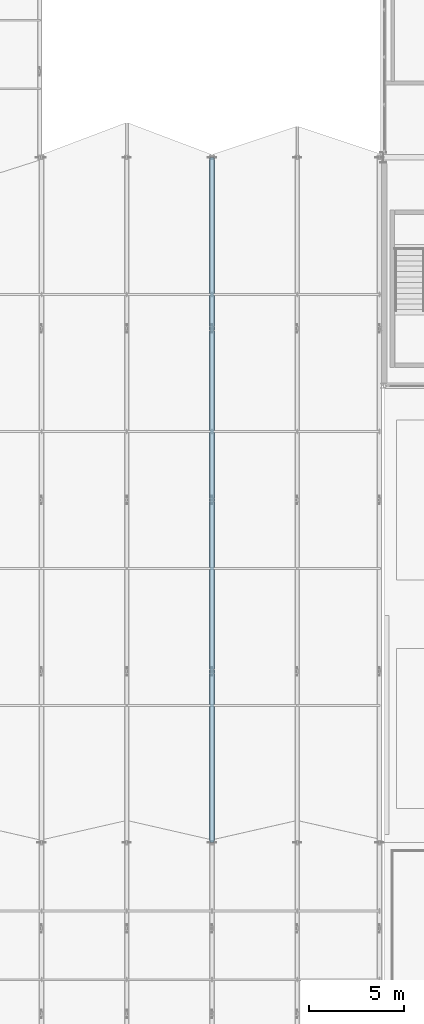
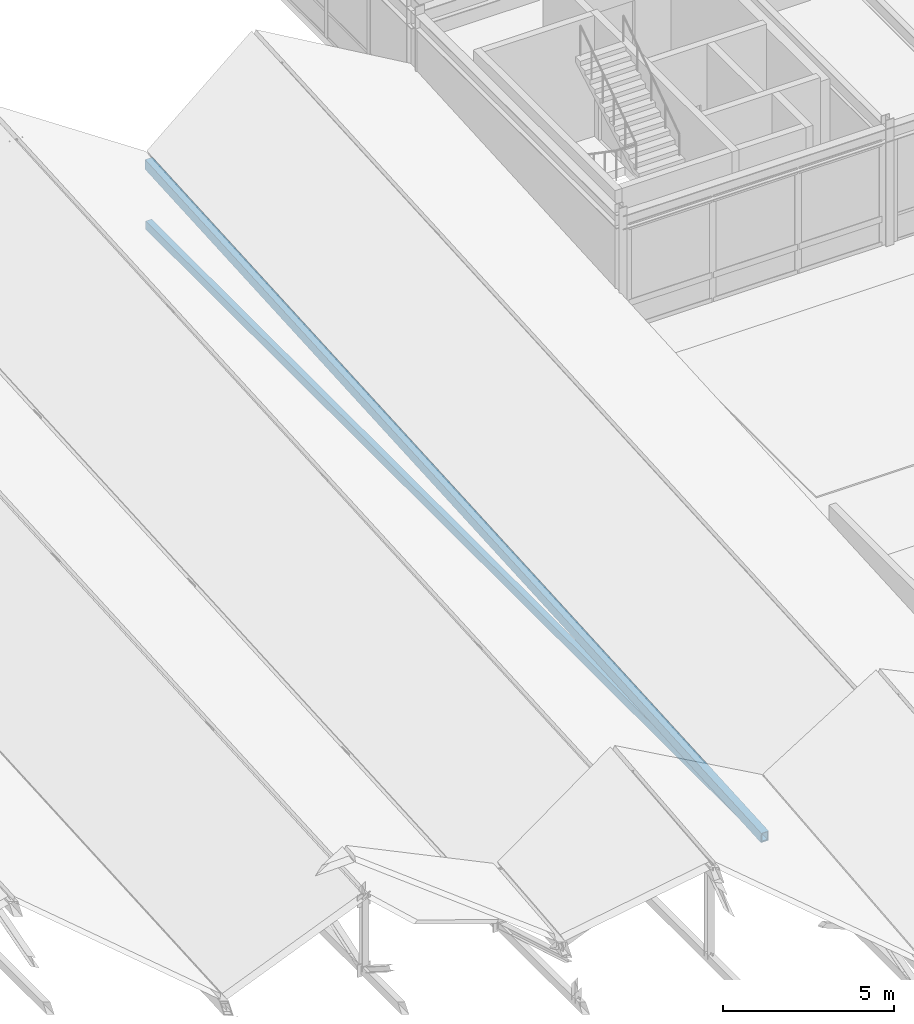
# One storey, part 54 of 142: 2 members.
"""IFC4 building model written with IfcOpenShell, lengths in metres."""

from ifc_helpers import new_model, si_unit, direction, frame, origin, origin_2d, place, context, subcontext, project, spatial, hollow_rectangle, extrude, material, material_profile, profile_set, type_object, element, save


model = new_model("IFC4")

# Units and contexts
model_context = context("Model", 3, precision=1e-05, world=origin(), true_north=direction((0.0, 1.0)))
body_context = subcontext(model_context, "Body", "Model", "MODEL_VIEW")
ifc_project = project(units=[si_unit("LENGTHUNIT", "METRE"), si_unit("AREAUNIT", "SQUARE_METRE"), si_unit("VOLUMEUNIT", "CUBIC_METRE"), si_unit("PLANEANGLEUNIT", "RADIAN"), si_unit("MASSUNIT", "GRAM", prefix="KILO")], contexts=[model_context])

# Site, building, storey
site_placement = place(None, origin())
site = spatial("IfcSite", under=ifc_project, at=site_placement, CompositionType="ELEMENT")
building_placement = place(site_placement, origin())
building = spatial("IfcBuilding", under=site, at=building_placement, Name="Montelvaro Courts of Justice", CompositionType="ELEMENT")
storey_placement = place(building_placement, frame((0.0, 0.0, 14.39990234375)))
storey = spatial("IfcBuildingStorey", under=building, at=storey_placement, Name="L03", CompositionType="ELEMENT", Elevation=14.39990234375)

# Members
ifc_material = material(Name="Steel S355", Category="steel")
ifc_material_profile_1 = material_profile(ifc_material, hollow_rectangle(XDim=0.199951171875, YDim=0.300048828125, WallThickness=0.012451171875, at=origin_2d()), Name="RHS 300x200x12.5")
ifc_profile_set_1 = profile_set([ifc_material_profile_1], Name="Steel S355")
member_type_1 = type_object("IfcMemberType", Name="Mem_RHS300_Chord", PredefinedType="CHORD", material=ifc_profile_set_1)
member_1_placement = place(storey_placement, frame((90.0, 42.0, -0.2998046875), z_axis=(0.0, 1.0, 0.0), x_axis=(-1.0, 0.0, 0.0)))
element("IfcMember", 1, at=member_1_placement, inside=storey, type_object=member_type_1, Name="Roof Truss ROOF-PASSAGE-VTR05 Bottom Chord", PredefinedType="CHORD", context=body_context, shape_type="SweptSolid", body=[
    extrude(hollow_rectangle(XDim=0.199951171875, YDim=0.300048828125, WallThickness=0.012451171875, at=origin_2d()), origin(), (0.0, 0.0, 1.0), 36.0),
])
ifc_material_profile_2 = material_profile(ifc_material, hollow_rectangle(XDim=0.25, YDim=0.35009765625, WallThickness=0.012451171875, at=origin_2d()), Name="RHS 350x250x12.5")
ifc_profile_set_2 = profile_set([ifc_material_profile_2], Name="Steel S355")
member_type_2 = type_object("IfcMemberType", Name="Mem_RHS350_Chord", PredefinedType="CHORD", material=ifc_profile_set_2)
member_2_placement = place(storey_placement, frame((90.0, 42.0, -0.31982421875), z_axis=(0.0, 0.998138012374, 0.060995969167), x_axis=(-1.0, 0.0, 0.0)))
element("IfcMember", 2, at=member_2_placement, inside=storey, type_object=member_type_2, Name="Roof Truss ROOF-PASSAGE-VTR05 Top Chord", PredefinedType="CHORD", context=body_context, shape_type="SweptSolid", body=[
    extrude(hollow_rectangle(XDim=0.25, YDim=0.35009765625, WallThickness=0.012451171875, at=origin_2d()), origin(), (0.0, 0.0, 1.0), 36.067138671875),
])

save(model, "model.ifc")
